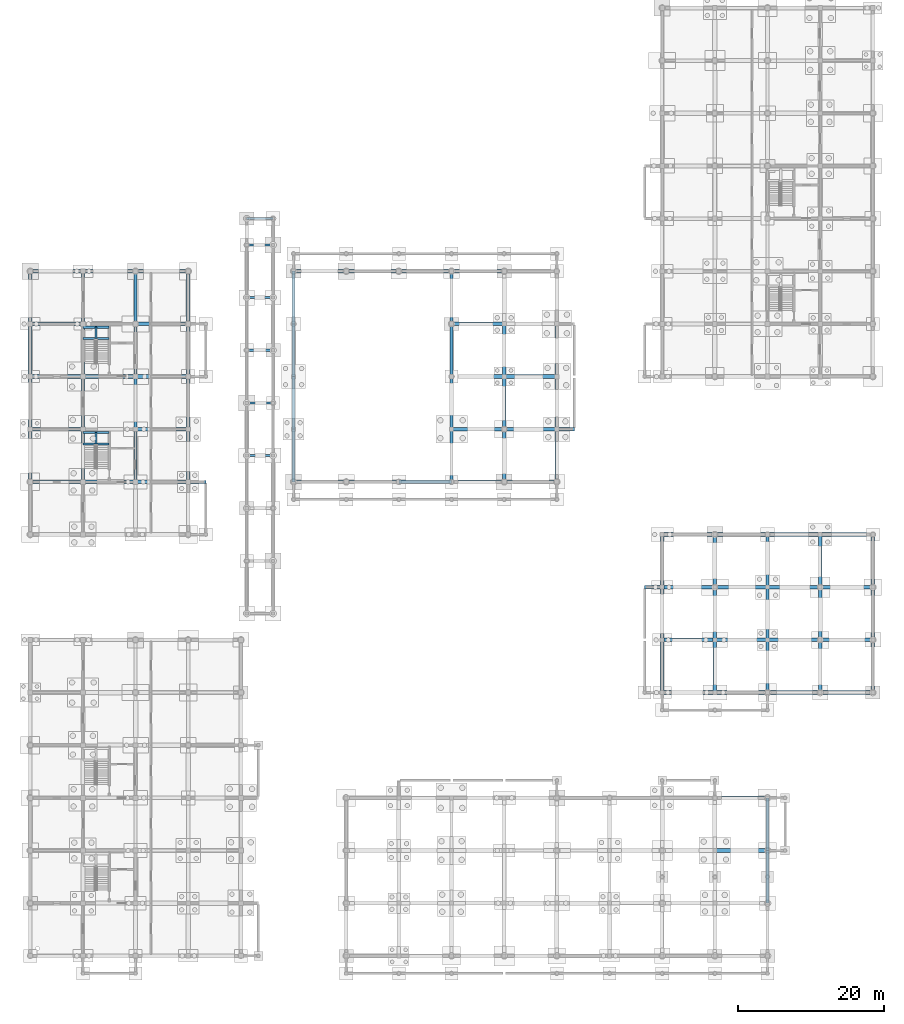
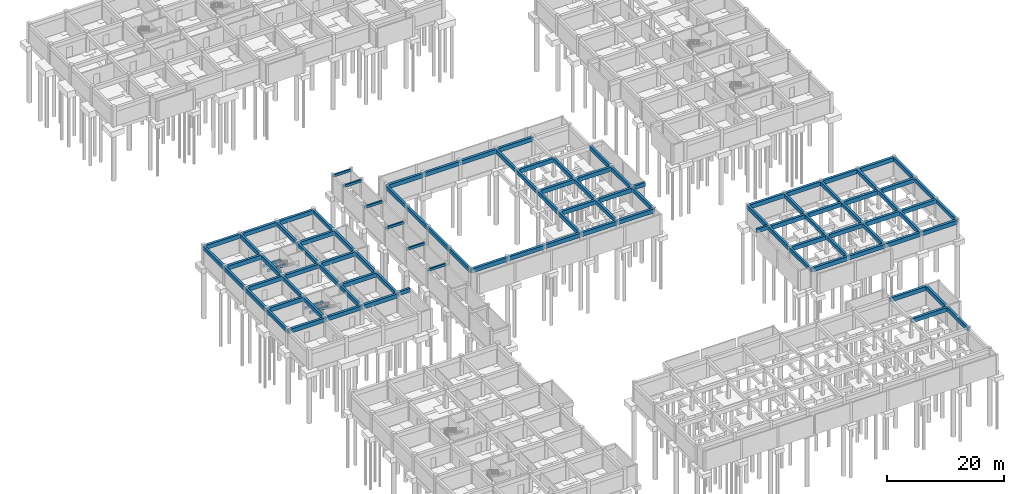
# One storey, part 21 of 38: 107 beams.
"""IFC4 building model written with IfcOpenShell, lengths in metres."""

import ifcopenshell
import ifcopenshell.guid

model = None  # the IFC model being written
_history = None  # IfcOwnerHistory: only IFC2X3 demands one
_inside = {}  # id of a spatial element -> (the spatial element, [elements in it])
_under = {}  # id of a project, library or spatial element -> (it, [spatial elements below it])
_declared = {}  # id of a project -> (the project, [libraries it declares])
_typed = {}  # id of a type object -> (the type object, [elements of that type])
_made_of = {}  # id of a material, layer set ... -> (it, [elements and type objects made of it])


def new_model(schema):
    """Start an empty IFC model of exactly this schema.

    Asked for "IFC4X3", IfcOpenShell would pick the latest addendum, in which some entities
    have other attributes; the version numbers below select the first issue.
    IFC2X3 requires an IfcOwnerHistory on every rooted entity: one is made here for all.
    """
    global model, _history
    if schema == "IFC4X3":
        model = ifcopenshell.file(schema_version=(4, 3, 0, 0))
    else:
        model = ifcopenshell.file(schema=schema)
    _inside.clear()
    _under.clear()
    _declared.clear()
    _typed.clear()
    _made_of.clear()
    _history = None
    if model.schema == "IFC2X3":
        org = make("IfcOrganization", Name="unknown")
        user = make(
            "IfcPersonAndOrganization",
            ThePerson=make("IfcPerson", FamilyName="unknown"),
            TheOrganization=org,
        )
        app = make(
            "IfcApplication",
            ApplicationDeveloper=org,
            Version="unknown",
            ApplicationFullName="unknown",
            ApplicationIdentifier="unknown",
        )
        _history = make(
            "IfcOwnerHistory",
            OwningUser=user,
            OwningApplication=app,
            ChangeAction="ADDED",
            CreationDate=0,
        )
    return model


def make(cls, **values):
    """One entity of the class cls with the attributes given. An attribute that is None is left unset."""
    return model.create_entity(
        cls, **{name: value for name, value in values.items() if value is not None}
    )


def rooted(cls, **values):
    """An entity with a GlobalId (a new one), such as an element, a storey or a relation."""
    return make(cls, GlobalId=ifcopenshell.guid.new(), OwnerHistory=_history, **values)


def si_unit(unit_type, name, prefix=None):
    """IfcSIUnit, for example si_unit("LENGTHUNIT", "METRE", prefix="MILLI")."""
    return make("IfcSIUnit", UnitType=unit_type, Prefix=prefix, Name=name)


def assignment(units):
    """IfcUnitAssignment: the units of a project."""
    return None if units is None else make("IfcUnitAssignment", Units=units)


def point(xyz):
    """IfcCartesianPoint."""
    return None if xyz is None else make("IfcCartesianPoint", Coordinates=xyz)


def direction(xyz):
    """IfcDirection."""
    return None if xyz is None else make("IfcDirection", DirectionRatios=xyz)


def frame(location, z_axis=None, x_axis=None):
    """IfcAxis2Placement3D, a coordinate frame: its origin and axes. An axis left out is left unset."""
    return make(
        "IfcAxis2Placement3D",
        Location=point(location),
        Axis=direction(z_axis),
        RefDirection=direction(x_axis),
    )


def frame_2d(location, x_axis=None):
    """IfcAxis2Placement2D, a coordinate frame in the plane: its origin and x axis."""
    return make(
        "IfcAxis2Placement2D", Location=point(location), RefDirection=direction(x_axis)
    )


def origin():
    """The frame at (0, 0, 0) with its axes left unset."""
    return frame((0.0, 0.0, 0.0))


def origin_2d():
    """The frame at (0, 0) in the plane with its x axis left unset."""
    return frame_2d((0.0, 0.0))


def place(relative_to, where):
    """IfcLocalPlacement: puts the frame where relative to a parent placement (None: the world)."""
    return make(
        "IfcLocalPlacement", PlacementRelTo=relative_to, RelativePlacement=where
    )


def context(
    kind, dimensions, precision=None, world=None, true_north=None, identifier=None
):
    """IfcGeometricRepresentationContext, for example the 3D "Model" context."""
    return make(
        "IfcGeometricRepresentationContext",
        ContextIdentifier=identifier,
        ContextType=kind,
        CoordinateSpaceDimension=dimensions,
        Precision=precision,
        WorldCoordinateSystem=world,
        TrueNorth=true_north,
    )


def subcontext(parent, identifier, kind, view, scale=None):
    """IfcGeometricRepresentationSubContext, for example "Body" below "Model"."""
    return make(
        "IfcGeometricRepresentationSubContext",
        ContextIdentifier=identifier,
        ContextType=kind,
        ParentContext=parent,
        TargetScale=scale,
        TargetView=view,
    )


def project(units=None, contexts=None):
    """IfcProject with its units and contexts."""
    return rooted(
        "IfcProject",
        Name="project",
        RepresentationContexts=contexts,
        UnitsInContext=assignment(units),
    )


def spatial(cls, under=None, at=None, **own):
    """A site, building, storey or space (cls), placed at a placement, below another one or the project."""
    s = rooted(cls, ObjectPlacement=at, **own)
    if under is not None:
        _under.setdefault(under.id(), (under, []))[1].append(s)
    return s


def profile(cls, at=None, kind="AREA", **sizes):
    """A parametric profile (cls). Its sizes go by their IFC names, for example OverallWidth=200.0."""
    return make(cls, ProfileType=kind, Position=at, **sizes)


def rectangle(**sizes):
    """IfcRectangleProfileDef."""
    return profile("IfcRectangleProfileDef", **sizes)


def extrude(swept, where, along, depth):
    """IfcExtrudedAreaSolid: the profile swept, set in the frame where, extruded along a direction by depth."""
    return make(
        "IfcExtrudedAreaSolid",
        SweptArea=swept,
        Position=where,
        ExtrudedDirection=direction(along),
        Depth=depth,
    )


def shape(context_of_items, identifier, shape_type, items):
    """IfcShapeRepresentation: the items that make up one representation, for example the "Body"."""
    return make(
        "IfcShapeRepresentation",
        ContextOfItems=context_of_items,
        RepresentationIdentifier=identifier,
        RepresentationType=shape_type,
        Items=items,
    )


def material(Name=None, Category=None):
    """IfcMaterial."""
    return make("IfcMaterial", Name=Name, Category=Category)


def material_profile(
    of_material, cross_section, Name=None, Category=None, Priority=None
):
    """IfcMaterialProfile: a cross section and its material."""
    return make(
        "IfcMaterialProfile",
        Name=Name,
        Material=of_material,
        Profile=cross_section,
        Priority=Priority,
        Category=Category,
    )


def profile_set(profiles, Name=None, composite=None):
    """IfcMaterialProfileSet."""
    return make(
        "IfcMaterialProfileSet",
        Name=Name,
        MaterialProfiles=profiles,
        CompositeProfile=composite,
    )


def made_of(thing, what):
    """Note that an element or type object is made of a material, layer set ...; save() writes the relation."""
    if what is not None:
        _made_of.setdefault(what.id(), (what, []))[1].append(thing)
    return thing


def type_object(cls, material=None, **own):
    """A type object (cls), such as IfcWallType, which elements share."""
    return made_of(rooted(cls, **own), material)


def element(
    cls,
    number,
    at=None,
    inside=None,
    cuts=None,
    type_object=None,
    material=None,
    context=None,
    identifier="Body",
    shape_type=None,
    held_by="IfcProductDefinitionShape",
    body=None,
    shapes=None,
    **own,
):
    """One element of the class cls, such as IfcWall. Its Tag is "e" and its number.

    at: its placement. inside: the storey or other place that contains it. cuts: it is an
    opening in that element (IfcRelVoidsElement). A single representation is given by context,
    identifier, shape_type and body (its items); several are given by shapes. held_by: the class
    of the entity that holds the representations. save() writes the other relations.
    """
    e = rooted(cls, Tag="e%d" % number, ObjectPlacement=at, **own)
    if body is not None:
        shapes = [shape(context, identifier, shape_type, body)]
    if shapes is not None:
        e.Representation = make(held_by, Representations=shapes)
    if inside is not None:
        _inside.setdefault(inside.id(), (inside, []))[1].append(e)
    if cuts is not None:
        rooted(
            "IfcRelVoidsElement", RelatingBuildingElement=cuts, RelatedOpeningElement=e
        )
    if type_object is not None:
        _typed.setdefault(type_object.id(), (type_object, []))[1].append(e)
    return made_of(e, material)


def aggregate(whole, parts):
    """IfcRelAggregates: a whole, such as a stair, and the parts it consists of."""
    return rooted("IfcRelAggregates", RelatingObject=whole, RelatedObjects=parts)


def save(model, path):
    """Write the relations noted so far, then the file.

    IfcRelAggregates (storeys below a building ...), IfcRelContainedInSpatialStructure (elements
    in a storey), IfcRelDefinesByType, IfcRelAssociatesMaterial and IfcRelDeclares: one each for
    every whole, place, type object, material and project.
    """
    for whole, parts in _under.values():
        aggregate(whole, parts)
    for where, things in _inside.values():
        rooted(
            "IfcRelContainedInSpatialStructure",
            RelatedElements=things,
            RelatingStructure=where,
        )
    for kind, things in _typed.values():
        rooted("IfcRelDefinesByType", RelatedObjects=things, RelatingType=kind)
    for what, things in _made_of.values():
        rooted("IfcRelAssociatesMaterial", RelatedObjects=things, RelatingMaterial=what)
    for by, libraries in _declared.values():
        rooted("IfcRelDeclares", RelatingContext=by, RelatedDefinitions=libraries)
    model.write(path)


model = new_model("IFC4")

# Units and contexts
model_context = context("Model", 3, precision=1e-05, world=origin(), true_north=direction((0.0, 1.0)))
body_context = subcontext(model_context, "Body", "Model", "MODEL_VIEW")
ifc_project = project(units=[si_unit("LENGTHUNIT", "METRE"), si_unit("AREAUNIT", "SQUARE_METRE"), si_unit("VOLUMEUNIT", "CUBIC_METRE"), si_unit("PLANEANGLEUNIT", "RADIAN"), si_unit("MASSUNIT", "GRAM", prefix="KILO"), si_unit("THERMODYNAMICTEMPERATUREUNIT", "KELVIN"), si_unit("POWERUNIT", "WATT")], contexts=[model_context])

# Site, building, storey
site_placement = place(None, origin())
site = spatial("IfcSite", under=ifc_project, at=site_placement, CompositionType="ELEMENT")
building_placement = place(site_placement, origin())
building = spatial("IfcBuilding", under=site, at=building_placement, Name="Tavuni Mirador Residences", CompositionType="ELEMENT")
storey_placement = place(building_placement, frame((0.0, 0.0, -4.199951171875)))
storey = spatial("IfcBuildingStorey", under=building, at=storey_placement, Name="B1", CompositionType="ELEMENT", Elevation=-4.199951171875)

# Beams
ifc_material = material(Name="Precast concrete C40/50", Category="concrete")
ifc_material_profile_1 = material_profile(ifc_material, rectangle(XDim=0.300048828125, YDim=0.5, at=origin_2d()), Name="PC 300x500", Category="concrete")
ifc_profile_set_1 = profile_set([ifc_material_profile_1], Name="Precast concrete C40/50")
beam_type_1 = type_object("IfcBeamType", Name="BT-B500", PredefinedType="BEAM", material=ifc_profile_set_1)
for number, where, z_axis, x_axis, name in (
    (1, (33.199951171875, 75.60009765625, 3.64990234375), (1.0, 0.0, 0.0), (0.0, 1.0, 0.0), "BMX-PAV-COL-B1-00-03"),
    (2, (33.199951171875, 82.800048828125, 3.64990234375), (1.0, 0.0, 0.0), (0.0, 1.0, 0.0), "BMX-PAV-COL-B1-00-04"),
    (3, (33.199951171875, 90.0, 3.64990234375), (1.0, 0.0, 0.0), (0.0, 1.0, 0.0), "BMX-PAV-COL-B1-00-05"),
    (4, (33.199951171875, 97.199951171875, 3.64990234375), (1.0, 0.0, 0.0), (0.0, 1.0, 0.0), "BMX-PAV-COL-B1-00-06"),
    (5, (33.199951171875, 104.39990234375, 3.64990234375), (1.0, 0.0, 0.0), (0.0, 1.0, 0.0), "BMX-PAV-COL-B1-00-07"),
    (6, (33.199951171875, 108.0, 3.64990234375), (1.0, 0.0, 0.0), (0.0, 1.0, 0.0), "BMX-PAV-COL-B1-00-08"),
):
    element("IfcBeam", number, at=place(storey_placement, frame(where, z_axis=z_axis, x_axis=x_axis)), inside=storey, type_object=beam_type_1, Name=name, PredefinedType="BEAM", context=body_context, shape_type="SweptSolid", body=[
        extrude(rectangle(XDim=0.300048828125, YDim=0.5, at=origin_2d()), origin(), (0.0, 0.0, 1.0), 3.60009765625),
    ])
for number, where, z_axis, x_axis, name in (
    (7, (10.800048828125, 77.18994140625, 1.669921875), (1.0, 0.0, 0.0), (0.0, 1.0, 0.0), "HLB1-C3-B1"),
    (8, (10.800048828125, 78.75, 1.669921875), (1.0, 0.0, 0.0), (0.0, 1.0, 0.0), "HLB2-C3-B1"),
):
    element("IfcBeam", number, at=place(storey_placement, frame(where, z_axis=z_axis, x_axis=x_axis)), inside=storey, type_object=beam_type_1, Name=name, PredefinedType="BEAM", context=body_context, shape_type="SweptSolid", body=[
        extrude(rectangle(XDim=0.300048828125, YDim=0.5, at=origin_2d()), origin(), (0.0, 0.0, 1.0), 3.599853515625),
    ])
beam_1_placement = place(storey_placement, frame((12.60009765625, 77.18994140625, 1.669921875), z_axis=(0.0, 1.0, 0.0), x_axis=(-1.0, 0.0, 0.0)))
element("IfcBeam", 9, at=beam_1_placement, inside=storey, type_object=beam_type_1, Name="HLB3-C3-B1", PredefinedType="BEAM", context=body_context, shape_type="SweptSolid", body=[
    extrude(rectangle(XDim=0.300048828125, YDim=0.5, at=origin_2d()), origin(), (0.0, 0.0, 1.0), 1.56005859375),
])
for number, where, z_axis, x_axis, name in (
    (10, (10.800048828125, 91.590087890625, 1.669921875), (1.0, 0.0, 0.0), (0.0, 1.0, 0.0), "HLB1-C4-B1"),
    (11, (10.800048828125, 93.14990234375, 1.669921875), (1.0, 0.0, 0.0), (0.0, 1.0, 0.0), "HLB2-C4-B1"),
):
    element("IfcBeam", number, at=place(storey_placement, frame(where, z_axis=z_axis, x_axis=x_axis)), inside=storey, type_object=beam_type_1, Name=name, PredefinedType="BEAM", context=body_context, shape_type="SweptSolid", body=[
        extrude(rectangle(XDim=0.300048828125, YDim=0.5, at=origin_2d()), origin(), (0.0, 0.0, 1.0), 3.599853515625),
    ])
beam_2_placement = place(storey_placement, frame((12.60009765625, 91.590087890625, 1.669921875), z_axis=(0.0, 1.0, 0.0), x_axis=(-1.0, 0.0, 0.0)))
element("IfcBeam", 12, at=beam_2_placement, inside=storey, type_object=beam_type_1, Name="HLB3-C4-B1", PredefinedType="BEAM", context=body_context, shape_type="SweptSolid", body=[
    extrude(rectangle(XDim=0.300048828125, YDim=0.5, at=origin_2d()), origin(), (0.0, 0.0, 1.0), 1.559814453125),
])
ifc_material_profile_2 = material_profile(ifc_material, rectangle(XDim=0.449951171875, YDim=0.800048828125, at=origin_2d()), Name="RC 450x800", Category="concrete")
ifc_profile_set_2 = profile_set([ifc_material_profile_2], Name="Precast concrete C40/50")
beam_type_2 = type_object("IfcBeamType", Name="BT-G800", PredefinedType="USERDEFINED", material=ifc_profile_set_2)
for number, where, z_axis, x_axis, name in (
    (13, (39.60009765625, 72.0, 3.5), (0.0, 1.0, 0.0), (-1.0, 0.0, 0.0), "BMY-PAV-HALL-B1-00-00"),
    (14, (39.60009765625, 79.199951171875, 3.5), (0.0, 1.0, 0.0), (-1.0, 0.0, 0.0), "BMY-PAV-HALL-B1-00-01"),
):
    element("IfcBeam", number, at=place(storey_placement, frame(where, z_axis=z_axis, x_axis=x_axis)), inside=storey, type_object=beam_type_2, Name=name, ObjectType="GIRDER", PredefinedType="USERDEFINED", context=body_context, shape_type="SweptSolid", body=[
        extrude(rectangle(XDim=0.449951171875, YDim=0.800048828125, at=origin_2d()), origin(), (0.0, 0.0, 1.0), 7.199951171875),
    ])
beam_3_placement = place(storey_placement, frame((39.60009765625, 86.39990234375, 3.5), z_axis=(0.0, 1.0, 0.0), x_axis=(-1.0, 0.0, 0.0)))
element("IfcBeam", 15, at=beam_3_placement, inside=storey, type_object=beam_type_2, Name="BMY-PAV-HALL-B1-00-02", ObjectType="GIRDER", PredefinedType="USERDEFINED", context=body_context, shape_type="SweptSolid", body=[
    extrude(rectangle(XDim=0.449951171875, YDim=0.800048828125, at=origin_2d()), origin(), (0.0, 0.0, 1.0), 7.2001953125),
])
for number, where, z_axis, x_axis, name in (
    (16, (39.60009765625, 93.60009765625, 3.5), (0.0, 1.0, 0.0), (-1.0, 0.0, 0.0), "BMY-PAV-HALL-B1-00-03"),
    (17, (61.199951171875, 72.0, 3.5), (0.0, 1.0, 0.0), (-1.0, 0.0, 0.0), "BMY-PAV-HALL-B1-03-00"),
    (18, (61.199951171875, 79.199951171875, 3.5), (0.0, 1.0, 0.0), (-1.0, 0.0, 0.0), "BMY-PAV-HALL-B1-03-01"),
):
    element("IfcBeam", number, at=place(storey_placement, frame(where, z_axis=z_axis, x_axis=x_axis)), inside=storey, type_object=beam_type_2, Name=name, ObjectType="GIRDER", PredefinedType="USERDEFINED", context=body_context, shape_type="SweptSolid", body=[
        extrude(rectangle(XDim=0.449951171875, YDim=0.800048828125, at=origin_2d()), origin(), (0.0, 0.0, 1.0), 7.199951171875),
    ])
beam_4_placement = place(storey_placement, frame((61.199951171875, 86.39990234375, 3.5), z_axis=(0.0, 1.0, 0.0), x_axis=(-1.0, 0.0, 0.0)))
element("IfcBeam", 19, at=beam_4_placement, inside=storey, type_object=beam_type_2, Name="BMY-PAV-HALL-B1-03-02", ObjectType="GIRDER", PredefinedType="USERDEFINED", context=body_context, shape_type="SweptSolid", body=[
    extrude(rectangle(XDim=0.449951171875, YDim=0.800048828125, at=origin_2d()), origin(), (0.0, 0.0, 1.0), 7.2001953125),
])
for number, where, z_axis, x_axis, name in (
    (20, (61.199951171875, 93.60009765625, 3.5), (0.0, 1.0, 0.0), (-1.0, 0.0, 0.0), "BMY-PAV-HALL-B1-03-03"),
    (21, (68.39990234375, 72.0, 3.5), (0.0, 1.0, 0.0), (-1.0, 0.0, 0.0), "BMY-PAV-HALL-B1-04-00"),
    (22, (68.39990234375, 79.199951171875, 3.5), (0.0, 1.0, 0.0), (-1.0, 0.0, 0.0), "BMY-PAV-HALL-B1-04-01"),
):
    element("IfcBeam", number, at=place(storey_placement, frame(where, z_axis=z_axis, x_axis=x_axis)), inside=storey, type_object=beam_type_2, Name=name, ObjectType="GIRDER", PredefinedType="USERDEFINED", context=body_context, shape_type="SweptSolid", body=[
        extrude(rectangle(XDim=0.449951171875, YDim=0.800048828125, at=origin_2d()), origin(), (0.0, 0.0, 1.0), 7.199951171875),
    ])
beam_5_placement = place(storey_placement, frame((68.39990234375, 86.39990234375, 3.5), z_axis=(0.0, 1.0, 0.0), x_axis=(-1.0, 0.0, 0.0)))
element("IfcBeam", 23, at=beam_5_placement, inside=storey, type_object=beam_type_2, Name="BMY-PAV-HALL-B1-04-02", ObjectType="GIRDER", PredefinedType="USERDEFINED", context=body_context, shape_type="SweptSolid", body=[
    extrude(rectangle(XDim=0.449951171875, YDim=0.800048828125, at=origin_2d()), origin(), (0.0, 0.0, 1.0), 7.2001953125),
])
for number, where, z_axis, x_axis, name in (
    (24, (75.60009765625, 72.0, 3.5), (0.0, 1.0, 0.0), (-1.0, 0.0, 0.0), "BMY-PAV-HALL-B1-05-00"),
    (25, (75.60009765625, 79.199951171875, 3.5), (0.0, 1.0, 0.0), (-1.0, 0.0, 0.0), "BMY-PAV-HALL-B1-05-01"),
):
    element("IfcBeam", number, at=place(storey_placement, frame(where, z_axis=z_axis, x_axis=x_axis)), inside=storey, type_object=beam_type_2, Name=name, ObjectType="GIRDER", PredefinedType="USERDEFINED", context=body_context, shape_type="SweptSolid", body=[
        extrude(rectangle(XDim=0.449951171875, YDim=0.800048828125, at=origin_2d()), origin(), (0.0, 0.0, 1.0), 7.199951171875),
    ])
beam_6_placement = place(storey_placement, frame((75.60009765625, 86.39990234375, 3.5), z_axis=(0.0, 1.0, 0.0), x_axis=(-1.0, 0.0, 0.0)))
element("IfcBeam", 26, at=beam_6_placement, inside=storey, type_object=beam_type_2, Name="BMY-PAV-HALL-B1-05-02", ObjectType="GIRDER", PredefinedType="USERDEFINED", context=body_context, shape_type="SweptSolid", body=[
    extrude(rectangle(XDim=0.449951171875, YDim=0.800048828125, at=origin_2d()), origin(), (0.0, 0.0, 1.0), 7.2001953125),
])
beam_7_placement = place(storey_placement, frame((90.0, 43.199951171875, 3.5), z_axis=(0.0, 1.0, 0.0), x_axis=(-1.0, 0.0, 0.0)))
element("IfcBeam", 27, at=beam_7_placement, inside=storey, type_object=beam_type_2, Name="BMY-PAV-NURS-B1-00-00", ObjectType="GIRDER", PredefinedType="USERDEFINED", context=body_context, shape_type="SweptSolid", body=[
    extrude(rectangle(XDim=0.449951171875, YDim=0.800048828125, at=origin_2d()), origin(), (0.0, 0.0, 1.0), 7.199951171875),
])
beam_8_placement = place(storey_placement, frame((90.0, 50.39990234375, 3.5), z_axis=(0.0, 1.0, 0.0), x_axis=(-1.0, 0.0, 0.0)))
element("IfcBeam", 28, at=beam_8_placement, inside=storey, type_object=beam_type_2, Name="BMY-PAV-NURS-B1-00-01", ObjectType="GIRDER", PredefinedType="USERDEFINED", context=body_context, shape_type="SweptSolid", body=[
    extrude(rectangle(XDim=0.449951171875, YDim=0.800048828125, at=origin_2d()), origin(), (0.0, 0.0, 1.0), 7.2001953125),
])
for number, where, z_axis, x_axis, name in (
    (29, (90.0, 57.60009765625, 3.5), (0.0, 1.0, 0.0), (-1.0, 0.0, 0.0), "BMY-PAV-NURS-B1-00-02"),
    (30, (97.199951171875, 43.199951171875, 3.5), (0.0, 1.0, 0.0), (-1.0, 0.0, 0.0), "BMY-PAV-NURS-B1-01-00"),
):
    element("IfcBeam", number, at=place(storey_placement, frame(where, z_axis=z_axis, x_axis=x_axis)), inside=storey, type_object=beam_type_2, Name=name, ObjectType="GIRDER", PredefinedType="USERDEFINED", context=body_context, shape_type="SweptSolid", body=[
        extrude(rectangle(XDim=0.449951171875, YDim=0.800048828125, at=origin_2d()), origin(), (0.0, 0.0, 1.0), 7.199951171875),
    ])
beam_9_placement = place(storey_placement, frame((97.199951171875, 50.39990234375, 3.5), z_axis=(0.0, 1.0, 0.0), x_axis=(-1.0, 0.0, 0.0)))
element("IfcBeam", 31, at=beam_9_placement, inside=storey, type_object=beam_type_2, Name="BMY-PAV-NURS-B1-01-01", ObjectType="GIRDER", PredefinedType="USERDEFINED", context=body_context, shape_type="SweptSolid", body=[
    extrude(rectangle(XDim=0.449951171875, YDim=0.800048828125, at=origin_2d()), origin(), (0.0, 0.0, 1.0), 7.2001953125),
])
for number, where, z_axis, x_axis, name in (
    (32, (97.199951171875, 57.60009765625, 3.5), (0.0, 1.0, 0.0), (-1.0, 0.0, 0.0), "BMY-PAV-NURS-B1-01-02"),
    (33, (104.39990234375, 43.199951171875, 3.5), (0.0, 1.0, 0.0), (-1.0, 0.0, 0.0), "BMY-PAV-NURS-B1-02-00"),
):
    element("IfcBeam", number, at=place(storey_placement, frame(where, z_axis=z_axis, x_axis=x_axis)), inside=storey, type_object=beam_type_2, Name=name, ObjectType="GIRDER", PredefinedType="USERDEFINED", context=body_context, shape_type="SweptSolid", body=[
        extrude(rectangle(XDim=0.449951171875, YDim=0.800048828125, at=origin_2d()), origin(), (0.0, 0.0, 1.0), 7.199951171875),
    ])
beam_10_placement = place(storey_placement, frame((104.39990234375, 50.39990234375, 3.5), z_axis=(0.0, 1.0, 0.0), x_axis=(-1.0, 0.0, 0.0)))
element("IfcBeam", 34, at=beam_10_placement, inside=storey, type_object=beam_type_2, Name="BMY-PAV-NURS-B1-02-01", ObjectType="GIRDER", PredefinedType="USERDEFINED", context=body_context, shape_type="SweptSolid", body=[
    extrude(rectangle(XDim=0.449951171875, YDim=0.800048828125, at=origin_2d()), origin(), (0.0, 0.0, 1.0), 7.2001953125),
])
for number, where, z_axis, x_axis, name in (
    (35, (104.39990234375, 57.60009765625, 3.5), (0.0, 1.0, 0.0), (-1.0, 0.0, 0.0), "BMY-PAV-NURS-B1-02-02"),
    (36, (111.60009765625, 43.199951171875, 3.5), (0.0, 1.0, 0.0), (-1.0, 0.0, 0.0), "BMY-PAV-NURS-B1-03-00"),
):
    element("IfcBeam", number, at=place(storey_placement, frame(where, z_axis=z_axis, x_axis=x_axis)), inside=storey, type_object=beam_type_2, Name=name, ObjectType="GIRDER", PredefinedType="USERDEFINED", context=body_context, shape_type="SweptSolid", body=[
        extrude(rectangle(XDim=0.449951171875, YDim=0.800048828125, at=origin_2d()), origin(), (0.0, 0.0, 1.0), 7.199951171875),
    ])
beam_11_placement = place(storey_placement, frame((111.60009765625, 50.39990234375, 3.5), z_axis=(0.0, 1.0, 0.0), x_axis=(-1.0, 0.0, 0.0)))
element("IfcBeam", 37, at=beam_11_placement, inside=storey, type_object=beam_type_2, Name="BMY-PAV-NURS-B1-03-01", ObjectType="GIRDER", PredefinedType="USERDEFINED", context=body_context, shape_type="SweptSolid", body=[
    extrude(rectangle(XDim=0.449951171875, YDim=0.800048828125, at=origin_2d()), origin(), (0.0, 0.0, 1.0), 7.2001953125),
])
for number, where, z_axis, x_axis, name in (
    (38, (111.60009765625, 57.60009765625, 3.5), (0.0, 1.0, 0.0), (-1.0, 0.0, 0.0), "BMY-PAV-NURS-B1-03-02"),
    (39, (118.800048828125, 43.199951171875, 3.5), (0.0, 1.0, 0.0), (-1.0, 0.0, 0.0), "BMY-PAV-NURS-B1-04-00"),
):
    element("IfcBeam", number, at=place(storey_placement, frame(where, z_axis=z_axis, x_axis=x_axis)), inside=storey, type_object=beam_type_2, Name=name, ObjectType="GIRDER", PredefinedType="USERDEFINED", context=body_context, shape_type="SweptSolid", body=[
        extrude(rectangle(XDim=0.449951171875, YDim=0.800048828125, at=origin_2d()), origin(), (0.0, 0.0, 1.0), 7.199951171875),
    ])
beam_12_placement = place(storey_placement, frame((118.800048828125, 50.39990234375, 3.5), z_axis=(0.0, 1.0, 0.0), x_axis=(-1.0, 0.0, 0.0)))
element("IfcBeam", 40, at=beam_12_placement, inside=storey, type_object=beam_type_2, Name="BMY-PAV-NURS-B1-04-01", ObjectType="GIRDER", PredefinedType="USERDEFINED", context=body_context, shape_type="SweptSolid", body=[
    extrude(rectangle(XDim=0.449951171875, YDim=0.800048828125, at=origin_2d()), origin(), (0.0, 0.0, 1.0), 7.2001953125),
])
beam_13_placement = place(storey_placement, frame((118.800048828125, 57.60009765625, 3.5), z_axis=(0.0, 1.0, 0.0), x_axis=(-1.0, 0.0, 0.0)))
element("IfcBeam", 41, at=beam_13_placement, inside=storey, type_object=beam_type_2, Name="BMY-PAV-NURS-B1-04-02", ObjectType="GIRDER", PredefinedType="USERDEFINED", context=body_context, shape_type="SweptSolid", body=[
    extrude(rectangle(XDim=0.449951171875, YDim=0.800048828125, at=origin_2d()), origin(), (0.0, 0.0, 1.0), 7.199951171875),
])
beam_14_placement = place(storey_placement, frame((104.39990234375, 14.39990234375, 3.5), z_axis=(0.0, 1.0, 0.0), x_axis=(-1.0, 0.0, 0.0)))
element("IfcBeam", 42, at=beam_14_placement, inside=storey, type_object=beam_type_2, Name="BMY-PAV-SHOP-B1-08-01", ObjectType="GIRDER", PredefinedType="USERDEFINED", context=body_context, shape_type="SweptSolid", body=[
    extrude(rectangle(XDim=0.449951171875, YDim=0.800048828125, at=origin_2d()), origin(), (0.0, 0.0, 1.0), 7.2001953125),
])
beam_15_placement = place(storey_placement, frame((104.39990234375, 21.60009765625, 3.5), z_axis=(0.0, 1.0, 0.0), x_axis=(-1.0, 0.0, 0.0)))
element("IfcBeam", 43, at=beam_15_placement, inside=storey, type_object=beam_type_2, Name="BMY-PAV-SHOP-B1-08-02", ObjectType="GIRDER", PredefinedType="USERDEFINED", context=body_context, shape_type="SweptSolid", body=[
    extrude(rectangle(XDim=0.449951171875, YDim=0.800048828125, at=origin_2d()), origin(), (0.0, 0.0, 1.0), 7.199951171875),
])
beam_16_placement = place(storey_placement, frame((25.199951171875, 72.0, 3.75), z_axis=(1.0, 0.0, 0.0), x_axis=(0.0, 1.0, 0.0)))
element("IfcBeam", 44, at=beam_16_placement, inside=storey, type_object=beam_type_2, Name="BM-APR-APR-BLKB-E1-2", ObjectType="GIRDER", PredefinedType="USERDEFINED", context=body_context, shape_type="SweptSolid", body=[
    extrude(rectangle(XDim=0.449951171875, YDim=0.800048828125, at=origin_2d()), origin(), (0.0, 0.0, 1.0), 2.400146484375),
])
for number, where, z_axis, x_axis, name in (
    (45, (75.60009765625, 79.199951171875, 3.75), (1.0, 0.0, 0.0), (0.0, 1.0, 0.0), "BM-APR-APR-HALL-E-1"),
    (46, (90.0, 57.60009765625, 3.75), (-1.0, 0.0, 0.0), (0.0, -1.0, 0.0), "BM-APR-APR-NURS-W-3"),
):
    element("IfcBeam", number, at=place(storey_placement, frame(where, z_axis=z_axis, x_axis=x_axis)), inside=storey, type_object=beam_type_2, Name=name, ObjectType="GIRDER", PredefinedType="USERDEFINED", context=body_context, shape_type="SweptSolid", body=[
        extrude(rectangle(XDim=0.449951171875, YDim=0.800048828125, at=origin_2d()), origin(), (0.0, 0.0, 1.0), 2.39990234375),
    ])
for number, where, z_axis, x_axis, name in (
    (47, (3.60009765625, 72.0, 3.47998046875), (0.0, 1.0, 0.0), (-1.0, 0.0, 0.0), "BMY-BLK-B-B1-00-01"),
    (48, (3.60009765625, 79.199951171875, 3.47998046875), (0.0, 1.0, 0.0), (-1.0, 0.0, 0.0), "BMY-BLK-B-B1-00-02"),
):
    element("IfcBeam", number, at=place(storey_placement, frame(where, z_axis=z_axis, x_axis=x_axis)), inside=storey, type_object=beam_type_2, Name=name, ObjectType="GIRDER", PredefinedType="USERDEFINED", context=body_context, shape_type="SweptSolid", body=[
        extrude(rectangle(XDim=0.449951171875, YDim=0.800048828125, at=origin_2d()), origin(), (0.0, 0.0, 1.0), 7.199951171875),
    ])
beam_17_placement = place(storey_placement, frame((3.60009765625, 86.39990234375, 3.47998046875), z_axis=(0.0, 1.0, 0.0), x_axis=(-1.0, 0.0, 0.0)))
element("IfcBeam", 49, at=beam_17_placement, inside=storey, type_object=beam_type_2, Name="BMY-BLK-B-B1-00-03", ObjectType="GIRDER", PredefinedType="USERDEFINED", context=body_context, shape_type="SweptSolid", body=[
    extrude(rectangle(XDim=0.449951171875, YDim=0.800048828125, at=origin_2d()), origin(), (0.0, 0.0, 1.0), 7.2001953125),
])
for number, where, z_axis, x_axis, name in (
    (50, (3.60009765625, 93.60009765625, 3.47998046875), (0.0, 1.0, 0.0), (-1.0, 0.0, 0.0), "BMY-BLK-B-B1-00-04"),
    (51, (10.800048828125, 72.0, 3.47998046875), (0.0, 1.0, 0.0), (-1.0, 0.0, 0.0), "BMY-BLK-B-B1-01-01"),
    (52, (10.800048828125, 79.199951171875, 3.47998046875), (0.0, 1.0, 0.0), (-1.0, 0.0, 0.0), "BMY-BLK-B-B1-01-02"),
):
    element("IfcBeam", number, at=place(storey_placement, frame(where, z_axis=z_axis, x_axis=x_axis)), inside=storey, type_object=beam_type_2, Name=name, ObjectType="GIRDER", PredefinedType="USERDEFINED", context=body_context, shape_type="SweptSolid", body=[
        extrude(rectangle(XDim=0.449951171875, YDim=0.800048828125, at=origin_2d()), origin(), (0.0, 0.0, 1.0), 7.199951171875),
    ])
beam_18_placement = place(storey_placement, frame((10.800048828125, 86.39990234375, 3.47998046875), z_axis=(0.0, 1.0, 0.0), x_axis=(-1.0, 0.0, 0.0)))
element("IfcBeam", 53, at=beam_18_placement, inside=storey, type_object=beam_type_2, Name="BMY-BLK-B-B1-01-03", ObjectType="GIRDER", PredefinedType="USERDEFINED", context=body_context, shape_type="SweptSolid", body=[
    extrude(rectangle(XDim=0.449951171875, YDim=0.800048828125, at=origin_2d()), origin(), (0.0, 0.0, 1.0), 7.2001953125),
])
for number, where, z_axis, x_axis, name in (
    (54, (10.800048828125, 93.60009765625, 3.47998046875), (0.0, 1.0, 0.0), (-1.0, 0.0, 0.0), "BMY-BLK-B-B1-01-04"),
    (55, (18.0, 72.0, 3.47998046875), (0.0, 1.0, 0.0), (-1.0, 0.0, 0.0), "BMY-BLK-B-B1-02-01"),
    (56, (18.0, 79.199951171875, 3.47998046875), (0.0, 1.0, 0.0), (-1.0, 0.0, 0.0), "BMY-BLK-B-B1-02-02"),
):
    element("IfcBeam", number, at=place(storey_placement, frame(where, z_axis=z_axis, x_axis=x_axis)), inside=storey, type_object=beam_type_2, Name=name, ObjectType="GIRDER", PredefinedType="USERDEFINED", context=body_context, shape_type="SweptSolid", body=[
        extrude(rectangle(XDim=0.449951171875, YDim=0.800048828125, at=origin_2d()), origin(), (0.0, 0.0, 1.0), 7.199951171875),
    ])
beam_19_placement = place(storey_placement, frame((18.0, 86.39990234375, 3.47998046875), z_axis=(0.0, 1.0, 0.0), x_axis=(-1.0, 0.0, 0.0)))
element("IfcBeam", 57, at=beam_19_placement, inside=storey, type_object=beam_type_2, Name="BMY-BLK-B-B1-02-03", ObjectType="GIRDER", PredefinedType="USERDEFINED", context=body_context, shape_type="SweptSolid", body=[
    extrude(rectangle(XDim=0.449951171875, YDim=0.800048828125, at=origin_2d()), origin(), (0.0, 0.0, 1.0), 7.2001953125),
])
for number, where, z_axis, x_axis, name in (
    (58, (18.0, 93.60009765625, 3.47998046875), (0.0, 1.0, 0.0), (-1.0, 0.0, 0.0), "BMY-BLK-B-B1-02-04"),
    (59, (25.199951171875, 72.0, 3.47998046875), (0.0, 1.0, 0.0), (-1.0, 0.0, 0.0), "BMY-BLK-B-B1-03-01"),
    (60, (25.199951171875, 79.199951171875, 3.47998046875), (0.0, 1.0, 0.0), (-1.0, 0.0, 0.0), "BMY-BLK-B-B1-03-02"),
):
    element("IfcBeam", number, at=place(storey_placement, frame(where, z_axis=z_axis, x_axis=x_axis)), inside=storey, type_object=beam_type_2, Name=name, ObjectType="GIRDER", PredefinedType="USERDEFINED", context=body_context, shape_type="SweptSolid", body=[
        extrude(rectangle(XDim=0.449951171875, YDim=0.800048828125, at=origin_2d()), origin(), (0.0, 0.0, 1.0), 7.199951171875),
    ])
beam_20_placement = place(storey_placement, frame((25.199951171875, 86.39990234375, 3.47998046875), z_axis=(0.0, 1.0, 0.0), x_axis=(-1.0, 0.0, 0.0)))
element("IfcBeam", 61, at=beam_20_placement, inside=storey, type_object=beam_type_2, Name="BMY-BLK-B-B1-03-03", ObjectType="GIRDER", PredefinedType="USERDEFINED", context=body_context, shape_type="SweptSolid", body=[
    extrude(rectangle(XDim=0.449951171875, YDim=0.800048828125, at=origin_2d()), origin(), (0.0, 0.0, 1.0), 7.2001953125),
])
beam_21_placement = place(storey_placement, frame((25.199951171875, 93.60009765625, 3.47998046875), z_axis=(0.0, 1.0, 0.0), x_axis=(-1.0, 0.0, 0.0)))
element("IfcBeam", 62, at=beam_21_placement, inside=storey, type_object=beam_type_2, Name="BMY-BLK-B-B1-03-04", ObjectType="GIRDER", PredefinedType="USERDEFINED", context=body_context, shape_type="SweptSolid", body=[
    extrude(rectangle(XDim=0.449951171875, YDim=0.800048828125, at=origin_2d()), origin(), (0.0, 0.0, 1.0), 7.199951171875),
])
ifc_material_profile_3 = material_profile(ifc_material, rectangle(XDim=0.5, YDim=0.85009765625, at=origin_2d()), Name="RC 500x850", Category="concrete")
ifc_profile_set_3 = profile_set([ifc_material_profile_3], Name="Precast concrete C40/50")
beam_type_3 = type_object("IfcBeamType", Name="BT-G850", PredefinedType="USERDEFINED", material=ifc_profile_set_3)
for number, where, z_axis, x_axis, name in (
    (63, (39.60009765625, 72.0, 3.474853515625), (1.0, 0.0, 0.0), (0.0, 1.0, 0.0), "BMX-PAV-HALL-B1-00-00"),
    (64, (46.800048828125, 72.0, 3.474853515625), (1.0, 0.0, 0.0), (0.0, 1.0, 0.0), "BMX-PAV-HALL-B1-01-00"),
    (65, (54.0, 72.0, 3.474853515625), (1.0, 0.0, 0.0), (0.0, 1.0, 0.0), "BMX-PAV-HALL-B1-02-00"),
    (66, (61.199951171875, 72.0, 3.474853515625), (1.0, 0.0, 0.0), (0.0, 1.0, 0.0), "BMX-PAV-HALL-B1-03-00"),
):
    element("IfcBeam", number, at=place(storey_placement, frame(where, z_axis=z_axis, x_axis=x_axis)), inside=storey, type_object=beam_type_3, Name=name, ObjectType="GIRDER", PredefinedType="USERDEFINED", context=body_context, shape_type="SweptSolid", body=[
        extrude(rectangle(XDim=0.5, YDim=0.85009765625, at=origin_2d()), origin(), (0.0, 0.0, 1.0), 7.199951171875),
    ])
beam_22_placement = place(storey_placement, frame((68.39990234375, 72.0, 3.474853515625), z_axis=(1.0, 0.0, 0.0), x_axis=(0.0, 1.0, 0.0)))
element("IfcBeam", 67, at=beam_22_placement, inside=storey, type_object=beam_type_3, Name="BMX-PAV-HALL-B1-04-00", ObjectType="GIRDER", PredefinedType="USERDEFINED", context=body_context, shape_type="SweptSolid", body=[
    extrude(rectangle(XDim=0.5, YDim=0.85009765625, at=origin_2d()), origin(), (0.0, 0.0, 1.0), 7.2001953125),
])
beam_23_placement = place(storey_placement, frame((61.199951171875, 79.199951171875, 3.474853515625), z_axis=(1.0, 0.0, 0.0), x_axis=(0.0, 1.0, 0.0)))
element("IfcBeam", 68, at=beam_23_placement, inside=storey, type_object=beam_type_3, Name="BMX-PAV-HALL-B1-03-01", ObjectType="GIRDER", PredefinedType="USERDEFINED", context=body_context, shape_type="SweptSolid", body=[
    extrude(rectangle(XDim=0.5, YDim=0.85009765625, at=origin_2d()), origin(), (0.0, 0.0, 1.0), 7.199951171875),
])
beam_24_placement = place(storey_placement, frame((68.39990234375, 79.199951171875, 3.474853515625), z_axis=(1.0, 0.0, 0.0), x_axis=(0.0, 1.0, 0.0)))
element("IfcBeam", 69, at=beam_24_placement, inside=storey, type_object=beam_type_3, Name="BMX-PAV-HALL-B1-04-01", ObjectType="GIRDER", PredefinedType="USERDEFINED", context=body_context, shape_type="SweptSolid", body=[
    extrude(rectangle(XDim=0.5, YDim=0.85009765625, at=origin_2d()), origin(), (0.0, 0.0, 1.0), 7.2001953125),
])
beam_25_placement = place(storey_placement, frame((61.199951171875, 86.39990234375, 3.474853515625), z_axis=(1.0, 0.0, 0.0), x_axis=(0.0, 1.0, 0.0)))
element("IfcBeam", 70, at=beam_25_placement, inside=storey, type_object=beam_type_3, Name="BMX-PAV-HALL-B1-03-02", ObjectType="GIRDER", PredefinedType="USERDEFINED", context=body_context, shape_type="SweptSolid", body=[
    extrude(rectangle(XDim=0.5, YDim=0.85009765625, at=origin_2d()), origin(), (0.0, 0.0, 1.0), 7.199951171875),
])
beam_26_placement = place(storey_placement, frame((68.39990234375, 86.39990234375, 3.474853515625), z_axis=(1.0, 0.0, 0.0), x_axis=(0.0, 1.0, 0.0)))
element("IfcBeam", 71, at=beam_26_placement, inside=storey, type_object=beam_type_3, Name="BMX-PAV-HALL-B1-04-02", ObjectType="GIRDER", PredefinedType="USERDEFINED", context=body_context, shape_type="SweptSolid", body=[
    extrude(rectangle(XDim=0.5, YDim=0.85009765625, at=origin_2d()), origin(), (0.0, 0.0, 1.0), 7.2001953125),
])
for number, where, z_axis, x_axis, name in (
    (72, (61.199951171875, 93.60009765625, 3.474853515625), (1.0, 0.0, 0.0), (0.0, 1.0, 0.0), "BMX-PAV-HALL-B1-03-03"),
    (73, (39.60009765625, 100.800048828125, 3.474853515625), (1.0, 0.0, 0.0), (0.0, 1.0, 0.0), "BMX-PAV-HALL-B1-00-04"),
    (74, (46.800048828125, 100.800048828125, 3.474853515625), (1.0, 0.0, 0.0), (0.0, 1.0, 0.0), "BMX-PAV-HALL-B1-01-04"),
    (75, (54.0, 100.800048828125, 3.474853515625), (1.0, 0.0, 0.0), (0.0, 1.0, 0.0), "BMX-PAV-HALL-B1-02-04"),
    (76, (61.199951171875, 100.800048828125, 3.474853515625), (1.0, 0.0, 0.0), (0.0, 1.0, 0.0), "BMX-PAV-HALL-B1-03-04"),
    (77, (90.0, 43.199951171875, 3.474853515625), (1.0, 0.0, 0.0), (0.0, 1.0, 0.0), "BMX-PAV-NURS-B1-00-00"),
    (78, (97.199951171875, 43.199951171875, 3.474853515625), (1.0, 0.0, 0.0), (0.0, 1.0, 0.0), "BMX-PAV-NURS-B1-01-00"),
):
    element("IfcBeam", number, at=place(storey_placement, frame(where, z_axis=z_axis, x_axis=x_axis)), inside=storey, type_object=beam_type_3, Name=name, ObjectType="GIRDER", PredefinedType="USERDEFINED", context=body_context, shape_type="SweptSolid", body=[
        extrude(rectangle(XDim=0.5, YDim=0.85009765625, at=origin_2d()), origin(), (0.0, 0.0, 1.0), 7.199951171875),
    ])
beam_27_placement = place(storey_placement, frame((104.39990234375, 43.199951171875, 3.474853515625), z_axis=(1.0, 0.0, 0.0), x_axis=(0.0, 1.0, 0.0)))
element("IfcBeam", 79, at=beam_27_placement, inside=storey, type_object=beam_type_3, Name="BMX-PAV-NURS-B1-02-00", ObjectType="GIRDER", PredefinedType="USERDEFINED", context=body_context, shape_type="SweptSolid", body=[
    extrude(rectangle(XDim=0.5, YDim=0.85009765625, at=origin_2d()), origin(), (0.0, 0.0, 1.0), 7.2001953125),
])
for number, where, z_axis, x_axis, name in (
    (80, (111.60009765625, 43.199951171875, 3.474853515625), (1.0, 0.0, 0.0), (0.0, 1.0, 0.0), "BMX-PAV-NURS-B1-03-00"),
    (81, (90.0, 50.39990234375, 3.474853515625), (1.0, 0.0, 0.0), (0.0, 1.0, 0.0), "BMX-PAV-NURS-B1-00-01"),
    (82, (97.199951171875, 50.39990234375, 3.474853515625), (1.0, 0.0, 0.0), (0.0, 1.0, 0.0), "BMX-PAV-NURS-B1-01-01"),
):
    element("IfcBeam", number, at=place(storey_placement, frame(where, z_axis=z_axis, x_axis=x_axis)), inside=storey, type_object=beam_type_3, Name=name, ObjectType="GIRDER", PredefinedType="USERDEFINED", context=body_context, shape_type="SweptSolid", body=[
        extrude(rectangle(XDim=0.5, YDim=0.85009765625, at=origin_2d()), origin(), (0.0, 0.0, 1.0), 7.199951171875),
    ])
beam_28_placement = place(storey_placement, frame((104.39990234375, 50.39990234375, 3.474853515625), z_axis=(1.0, 0.0, 0.0), x_axis=(0.0, 1.0, 0.0)))
element("IfcBeam", 83, at=beam_28_placement, inside=storey, type_object=beam_type_3, Name="BMX-PAV-NURS-B1-02-01", ObjectType="GIRDER", PredefinedType="USERDEFINED", context=body_context, shape_type="SweptSolid", body=[
    extrude(rectangle(XDim=0.5, YDim=0.85009765625, at=origin_2d()), origin(), (0.0, 0.0, 1.0), 7.2001953125),
])
for number, where, z_axis, x_axis, name in (
    (84, (111.60009765625, 50.39990234375, 3.474853515625), (1.0, 0.0, 0.0), (0.0, 1.0, 0.0), "BMX-PAV-NURS-B1-03-01"),
    (85, (90.0, 57.60009765625, 3.474853515625), (1.0, 0.0, 0.0), (0.0, 1.0, 0.0), "BMX-PAV-NURS-B1-00-02"),
    (86, (97.199951171875, 57.60009765625, 3.474853515625), (1.0, 0.0, 0.0), (0.0, 1.0, 0.0), "BMX-PAV-NURS-B1-01-02"),
):
    element("IfcBeam", number, at=place(storey_placement, frame(where, z_axis=z_axis, x_axis=x_axis)), inside=storey, type_object=beam_type_3, Name=name, ObjectType="GIRDER", PredefinedType="USERDEFINED", context=body_context, shape_type="SweptSolid", body=[
        extrude(rectangle(XDim=0.5, YDim=0.85009765625, at=origin_2d()), origin(), (0.0, 0.0, 1.0), 7.199951171875),
    ])
beam_29_placement = place(storey_placement, frame((104.39990234375, 57.60009765625, 3.474853515625), z_axis=(1.0, 0.0, 0.0), x_axis=(0.0, 1.0, 0.0)))
element("IfcBeam", 87, at=beam_29_placement, inside=storey, type_object=beam_type_3, Name="BMX-PAV-NURS-B1-02-02", ObjectType="GIRDER", PredefinedType="USERDEFINED", context=body_context, shape_type="SweptSolid", body=[
    extrude(rectangle(XDim=0.5, YDim=0.85009765625, at=origin_2d()), origin(), (0.0, 0.0, 1.0), 7.2001953125),
])
for number, where, z_axis, x_axis, name in (
    (88, (111.60009765625, 57.60009765625, 3.474853515625), (1.0, 0.0, 0.0), (0.0, 1.0, 0.0), "BMX-PAV-NURS-B1-03-02"),
    (89, (90.0, 64.800048828125, 3.474853515625), (1.0, 0.0, 0.0), (0.0, 1.0, 0.0), "BMX-PAV-NURS-B1-00-03"),
    (90, (97.199951171875, 64.800048828125, 3.474853515625), (1.0, 0.0, 0.0), (0.0, 1.0, 0.0), "BMX-PAV-NURS-B1-01-03"),
):
    element("IfcBeam", number, at=place(storey_placement, frame(where, z_axis=z_axis, x_axis=x_axis)), inside=storey, type_object=beam_type_3, Name=name, ObjectType="GIRDER", PredefinedType="USERDEFINED", context=body_context, shape_type="SweptSolid", body=[
        extrude(rectangle(XDim=0.5, YDim=0.85009765625, at=origin_2d()), origin(), (0.0, 0.0, 1.0), 7.199951171875),
    ])
beam_30_placement = place(storey_placement, frame((104.39990234375, 64.800048828125, 3.474853515625), z_axis=(1.0, 0.0, 0.0), x_axis=(0.0, 1.0, 0.0)))
element("IfcBeam", 91, at=beam_30_placement, inside=storey, type_object=beam_type_3, Name="BMX-PAV-NURS-B1-02-03", ObjectType="GIRDER", PredefinedType="USERDEFINED", context=body_context, shape_type="SweptSolid", body=[
    extrude(rectangle(XDim=0.5, YDim=0.85009765625, at=origin_2d()), origin(), (0.0, 0.0, 1.0), 7.2001953125),
])
for number, where, z_axis, x_axis, name in (
    (92, (111.60009765625, 64.800048828125, 3.474853515625), (1.0, 0.0, 0.0), (0.0, 1.0, 0.0), "BMX-PAV-NURS-B1-03-03"),
    (93, (97.199951171875, 21.60009765625, 3.474853515625), (1.0, 0.0, 0.0), (0.0, 1.0, 0.0), "BMX-PAV-SHOP-B1-07-02"),
    (94, (97.199951171875, 28.800048828125, 3.474853515625), (1.0, 0.0, 0.0), (0.0, 1.0, 0.0), "BMX-PAV-SHOP-B1-07-03"),
    (95, (3.60009765625, 72.0, 3.454833984375), (1.0, 0.0, 0.0), (0.0, 1.0, 0.0), "BMX-BLK-B-B1-00-01"),
    (96, (10.800048828125, 72.0, 3.454833984375), (1.0, 0.0, 0.0), (0.0, 1.0, 0.0), "BMX-BLK-B-B1-01-01"),
    (97, (18.0, 72.0, 3.454833984375), (1.0, 0.0, 0.0), (0.0, 1.0, 0.0), "BMX-BLK-B-B1-02-01"),
    (98, (3.60009765625, 79.199951171875, 3.454833984375), (1.0, 0.0, 0.0), (0.0, 1.0, 0.0), "BMX-BLK-B-B1-00-02"),
    (99, (18.0, 79.199951171875, 3.454833984375), (1.0, 0.0, 0.0), (0.0, 1.0, 0.0), "BMX-BLK-B-B1-02-02"),
    (100, (3.60009765625, 86.39990234375, 3.454833984375), (1.0, 0.0, 0.0), (0.0, 1.0, 0.0), "BMX-BLK-B-B1-00-03"),
    (101, (10.800048828125, 86.39990234375, 3.454833984375), (1.0, 0.0, 0.0), (0.0, 1.0, 0.0), "BMX-BLK-B-B1-01-03"),
    (102, (18.0, 86.39990234375, 3.454833984375), (1.0, 0.0, 0.0), (0.0, 1.0, 0.0), "BMX-BLK-B-B1-02-03"),
    (103, (3.60009765625, 93.60009765625, 3.454833984375), (1.0, 0.0, 0.0), (0.0, 1.0, 0.0), "BMX-BLK-B-B1-00-04"),
    (104, (18.0, 93.60009765625, 3.454833984375), (1.0, 0.0, 0.0), (0.0, 1.0, 0.0), "BMX-BLK-B-B1-02-04"),
    (105, (3.60009765625, 100.800048828125, 3.454833984375), (1.0, 0.0, 0.0), (0.0, 1.0, 0.0), "BMX-BLK-B-B1-00-05"),
    (106, (10.800048828125, 100.800048828125, 3.454833984375), (1.0, 0.0, 0.0), (0.0, 1.0, 0.0), "BMX-BLK-B-B1-01-05"),
    (107, (18.0, 100.800048828125, 3.454833984375), (1.0, 0.0, 0.0), (0.0, 1.0, 0.0), "BMX-BLK-B-B1-02-05"),
):
    element("IfcBeam", number, at=place(storey_placement, frame(where, z_axis=z_axis, x_axis=x_axis)), inside=storey, type_object=beam_type_3, Name=name, ObjectType="GIRDER", PredefinedType="USERDEFINED", context=body_context, shape_type="SweptSolid", body=[
        extrude(rectangle(XDim=0.5, YDim=0.85009765625, at=origin_2d()), origin(), (0.0, 0.0, 1.0), 7.199951171875),
    ])

save(model, "model.ifc")
